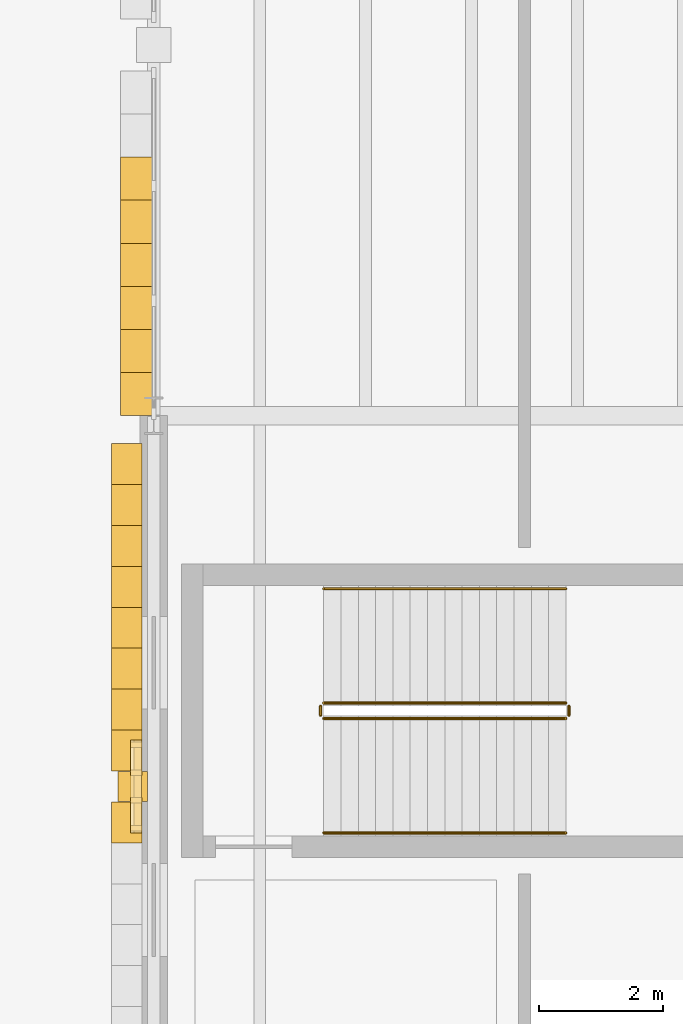
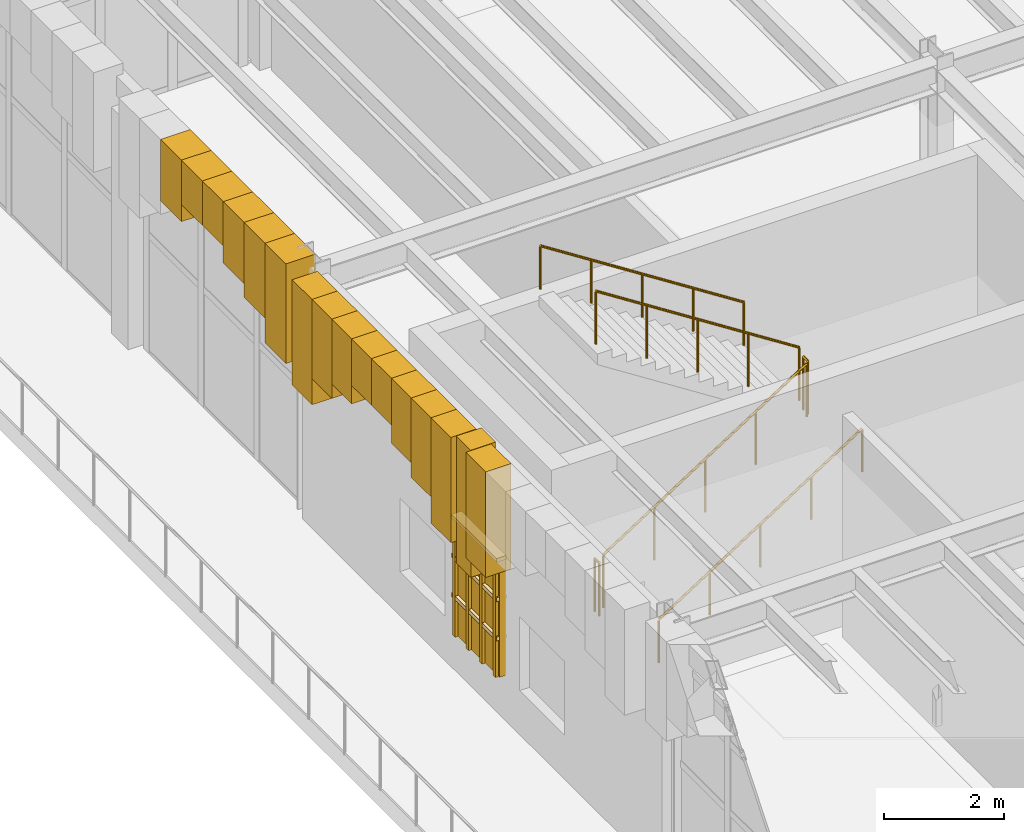
# One storey, part 79 of 103: 23 coverings, 6 railings, 1 shading device.
"""IFC4 building model written with IfcOpenShell, lengths in metres."""

from ifc_helpers import new_model, si_unit, direction, frame, origin, origin_2d, place, context, subcontext, project, spatial, polyline, rectangle, circle, outline, extrude, material, layer, layer_set, type_object, element, save


model = new_model("IFC4")

# Units and contexts
model_context = context("Model", 3, precision=1e-05, world=origin(), true_north=direction((0.0, 1.0)))
body_context = subcontext(model_context, "Body", "Model", "MODEL_VIEW")
ifc_project = project(units=[si_unit("LENGTHUNIT", "METRE"), si_unit("AREAUNIT", "SQUARE_METRE"), si_unit("VOLUMEUNIT", "CUBIC_METRE"), si_unit("PLANEANGLEUNIT", "RADIAN"), si_unit("MASSUNIT", "GRAM", prefix="KILO")], contexts=[model_context])

# Site, building, storey
site_placement = place(None, origin())
site = spatial("IfcSite", under=ifc_project, at=site_placement, CompositionType="ELEMENT")
building_placement = place(site_placement, origin())
building = spatial("IfcBuilding", under=site, at=building_placement, Name="Zlatogorsky Bluff Art Gallery", CompositionType="ELEMENT")
storey_placement = place(building_placement, origin())
storey = spatial("IfcBuildingStorey", under=building, at=storey_placement, Name="L00", CompositionType="ELEMENT", Elevation=0.0)

# Coverings
ifc_material_1 = material(Name="Honed Red Agra-Tone Quartzitic Sandstone", Category="masonry")
ifc_layer = layer(ifc_material_1, 0.1201171875)
ifc_layer_set = layer_set([ifc_layer], Name="Carved Sandstone Cladding CLD-02")
covering_type = type_object("IfcCoveringType", Name="Carved Sandstone Cladding CLD-02", PredefinedType="CLADDING", material=ifc_layer_set)
covering_1_placement = place(storey_placement, frame((0.0, 0.0, 2.77001953125)))
element("IfcCovering", 1, at=covering_1_placement, inside=storey, type_object=covering_type, Name="Mughal blind-arch sandstone pilaster L00.W.0.9", PredefinedType="CLADDING", context=body_context, shape_type="SweptSolid", body=[
    extrude(outline(polyline([(-0.580078125, 101.760009765625), (-0.10009765625, 101.760009765625), (-0.10009765625, 102.239990234375), (-0.580078125, 102.239990234375), (-0.580078125, 101.760009765625)])), origin(), (0.0, 0.0, 1.0), 2.590087890625),
])
covering_2_placement = place(storey_placement, frame((0.0, 0.0, 3.21240234375)))
element("IfcCovering", 2, at=covering_2_placement, inside=storey, type_object=covering_type, Name="Pointed Mughal arch voussoir spandrel WARCH-L00-W-00-09-A.8", PredefinedType="CLADDING", context=body_context, shape_type="SweptSolid", body=[
    extrude(outline(polyline([(-0.679931640625, 101.08740234375), (-0.679931640625, 101.75), (-0.18994140625, 101.75), (-0.18994140625, 101.08740234375), (-0.679931640625, 101.08740234375)])), origin(), (0.0, 0.0, 1.0), 2.147705078125),
])
covering_3_placement = place(storey_placement, frame((0.0, 0.0, 3.21240234375)))
element("IfcCovering", 3, at=covering_3_placement, inside=storey, type_object=covering_type, Name="Pointed Mughal arch voussoir spandrel WARCH-L00-W-00-09-B.1", PredefinedType="CLADDING", context=body_context, shape_type="SweptSolid", body=[
    extrude(outline(polyline([(-0.679931640625, 102.25), (-0.679931640625, 102.91259765625), (-0.18994140625, 102.91259765625), (-0.18994140625, 102.25), (-0.679931640625, 102.25)])), origin(), (0.0, 0.0, 1.0), 2.147705078125),
])
covering_4_placement = place(storey_placement, frame((0.0, 0.0, 3.743896484375)))
element("IfcCovering", 4, at=covering_4_placement, inside=storey, type_object=covering_type, Name="Pointed Mughal arch voussoir spandrel WARCH-L00-W-00-09-B.2", PredefinedType="CLADDING", context=body_context, shape_type="SweptSolid", body=[
    extrude(outline(polyline([(-0.679931640625, 102.91259765625), (-0.679931640625, 103.574951171875), (-0.18994140625, 103.574951171875), (-0.18994140625, 102.91259765625), (-0.679931640625, 102.91259765625)])), origin(), (0.0, 0.0, 1.0), 1.6162109375),
])
covering_5_placement = place(storey_placement, frame((0.0, 0.0, 4.03662109375)))
element("IfcCovering", 5, at=covering_5_placement, inside=storey, type_object=covering_type, Name="Pointed Mughal arch voussoir spandrel WARCH-L00-W-00-09-B.3", PredefinedType="CLADDING", context=body_context, shape_type="SweptSolid", body=[
    extrude(outline(polyline([(-0.679931640625, 103.574951171875), (-0.679931640625, 104.237548828125), (-0.18994140625, 104.237548828125), (-0.18994140625, 103.574951171875), (-0.679931640625, 103.574951171875)])), origin(), (0.0, 0.0, 1.0), 1.323486328125),
])
covering_6_placement = place(storey_placement, frame((0.0, 0.0, 4.405517578125)))
element("IfcCovering", 6, at=covering_6_placement, inside=storey, type_object=covering_type, Name="Pointed Mughal arch voussoir spandrel WARCH-L00-W-00-09-B.4", PredefinedType="CLADDING", context=body_context, shape_type="SweptSolid", body=[
    extrude(outline(polyline([(-0.679931640625, 104.237548828125), (-0.679931640625, 104.89990234375), (-0.18994140625, 104.89990234375), (-0.18994140625, 104.237548828125), (-0.679931640625, 104.237548828125)])), origin(), (0.0, 0.0, 1.0), 0.95458984375),
])
covering_7_placement = place(storey_placement, frame((0.0, 0.0, 4.405517578125)))
element("IfcCovering", 7, at=covering_7_placement, inside=storey, type_object=covering_type, Name="Pointed Mughal arch voussoir spandrel WARCH-L00-W-00-09-B.5", PredefinedType="CLADDING", context=body_context, shape_type="SweptSolid", body=[
    extrude(outline(polyline([(-0.679931640625, 104.89990234375), (-0.679931640625, 105.5625), (-0.18994140625, 105.5625), (-0.18994140625, 104.89990234375), (-0.679931640625, 104.89990234375)])), origin(), (0.0, 0.0, 1.0), 0.95458984375),
])
covering_8_placement = place(storey_placement, frame((0.0, 0.0, 4.03662109375)))
element("IfcCovering", 8, at=covering_8_placement, inside=storey, type_object=covering_type, Name="Pointed Mughal arch voussoir spandrel WARCH-L00-W-00-09-B.6", PredefinedType="CLADDING", context=body_context, shape_type="SweptSolid", body=[
    extrude(outline(polyline([(-0.679931640625, 105.5625), (-0.679931640625, 106.22509765625), (-0.18994140625, 106.22509765625), (-0.18994140625, 105.5625), (-0.679931640625, 105.5625)])), origin(), (0.0, 0.0, 1.0), 1.323486328125),
])
covering_9_placement = place(storey_placement, frame((0.0, 0.0, 3.743896484375)))
element("IfcCovering", 9, at=covering_9_placement, inside=storey, type_object=covering_type, Name="Pointed Mughal arch voussoir spandrel WARCH-L00-W-00-09-B.7", PredefinedType="CLADDING", context=body_context, shape_type="SweptSolid", body=[
    extrude(outline(polyline([(-0.679931640625, 106.22509765625), (-0.679931640625, 106.887451171875), (-0.18994140625, 106.887451171875), (-0.18994140625, 106.22509765625), (-0.679931640625, 106.22509765625)])), origin(), (0.0, 0.0, 1.0), 1.6162109375),
])
covering_10_placement = place(storey_placement, frame((0.0, 0.0, 3.21240234375)))
element("IfcCovering", 10, at=covering_10_placement, inside=storey, type_object=covering_type, Name="Pointed Mughal arch voussoir spandrel WARCH-L00-W-00-09-B.8", PredefinedType="CLADDING", context=body_context, shape_type="SweptSolid", body=[
    extrude(outline(polyline([(-0.679931640625, 106.887451171875), (-0.679931640625, 107.550048828125), (-0.18994140625, 107.550048828125), (-0.18994140625, 106.887451171875), (-0.679931640625, 106.887451171875)])), origin(), (0.0, 0.0, 1.0), 2.147705078125),
])
covering_11_placement = place(storey_placement, frame((0.0, 0.0, 0.949951171875)))
element("IfcCovering", 11, at=covering_11_placement, inside=storey, type_object=covering_type, Name="Pierced sandstone jali lattice bar L00.W.0.9", PredefinedType="CLADDING", context=body_context, shape_type="SweptSolid", body=[
    extrude(outline(polyline([(-0.3798828125, 101.280029296875), (-0.3798828125, 101.3701171875), (-0.18994140625, 101.3701171875), (-0.18994140625, 101.280029296875), (-0.3798828125, 101.280029296875)])), origin(), (0.0, 0.0, 1.0), 3.199951171875),
])
covering_12_placement = place(storey_placement, frame((0.0, 0.0, 0.949951171875)))
element("IfcCovering", 12, at=covering_12_placement, inside=storey, type_object=covering_type, Name="Pierced sandstone jali lattice bar L00.W.0.9", PredefinedType="CLADDING", context=body_context, shape_type="SweptSolid", body=[
    extrude(outline(polyline([(-0.3798828125, 101.72998046875), (-0.3798828125, 101.820068359375), (-0.18994140625, 101.820068359375), (-0.18994140625, 101.72998046875), (-0.3798828125, 101.72998046875)])), origin(), (0.0, 0.0, 1.0), 3.199951171875),
])
covering_13_placement = place(storey_placement, frame((0.0, 0.0, 0.949951171875)))
element("IfcCovering", 13, at=covering_13_placement, inside=storey, type_object=covering_type, Name="Pierced sandstone jali lattice bar L00.W.0.9", PredefinedType="CLADDING", context=body_context, shape_type="SweptSolid", body=[
    extrude(outline(polyline([(-0.3798828125, 102.179931640625), (-0.3798828125, 102.27001953125), (-0.18994140625, 102.27001953125), (-0.18994140625, 102.179931640625), (-0.3798828125, 102.179931640625)])), origin(), (0.0, 0.0, 1.0), 3.199951171875),
])
covering_14_placement = place(storey_placement, frame((0.0, 0.0, 0.949951171875)))
element("IfcCovering", 14, at=covering_14_placement, inside=storey, type_object=covering_type, Name="Pierced sandstone jali lattice bar L00.W.0.9", PredefinedType="CLADDING", context=body_context, shape_type="SweptSolid", body=[
    extrude(outline(polyline([(-0.3798828125, 102.6298828125), (-0.3798828125, 102.719970703125), (-0.18994140625, 102.719970703125), (-0.18994140625, 102.6298828125), (-0.3798828125, 102.6298828125)])), origin(), (0.0, 0.0, 1.0), 3.199951171875),
])
for number, where, name in (
    (15, (0.0, 0.0, 1.7099609375), "Pierced sandstone jali lattice transom L00.W.0.9"),
    (16, (0.0, 0.0, 2.510009765625), "Pierced sandstone jali lattice transom L00.W.0.9"),
):
    element("IfcCovering", number, at=place(storey_placement, frame(where)), inside=storey, type_object=covering_type, Name=name, PredefinedType="CLADDING", context=body_context, shape_type="SweptSolid", body=[
        extrude(outline(polyline([(-0.3798828125, 101.25), (-0.3798828125, 102.75), (-0.18994140625, 102.75), (-0.18994140625, 101.25), (-0.3798828125, 101.25)])), origin(), (0.0, 0.0, 1.0), 0.080078125),
    ])
covering_15_placement = place(storey_placement, frame((0.0, 0.0, 3.31005859375)))
element("IfcCovering", 17, at=covering_15_placement, inside=storey, type_object=covering_type, Name="Pierced sandstone jali lattice transom L00.W.0.9", PredefinedType="CLADDING", context=body_context, shape_type="SweptSolid", body=[
    extrude(outline(polyline([(-0.3798828125, 101.25), (-0.3798828125, 102.75), (-0.18994140625, 102.75), (-0.18994140625, 101.25), (-0.3798828125, 101.25)])), origin(), (0.0, 0.0, 1.0), 0.079833984375),
])
covering_16_placement = place(storey_placement, frame((0.0, 0.0, 3.327880859375)))
element("IfcCovering", 18, at=covering_16_placement, inside=storey, type_object=covering_type, Name="Pointed Mughal arch voussoir spandrel ARCH-CW-L00-W-00-10-B.1", PredefinedType="CLADDING", context=body_context, shape_type="SweptSolid", body=[
    extrude(outline(polyline([(-0.5400390625, 108.0), (-0.5400390625, 108.697509765625), (0.030029296875, 108.697509765625), (0.030029296875, 108.0), (-0.5400390625, 108.0)])), origin(), (0.0, 0.0, 1.0), 2.0322265625),
])
covering_17_placement = place(storey_placement, frame((0.0, 0.0, 3.82958984375)))
element("IfcCovering", 19, at=covering_17_placement, inside=storey, type_object=covering_type, Name="Pointed Mughal arch voussoir spandrel ARCH-CW-L00-W-00-10-B.2", PredefinedType="CLADDING", context=body_context, shape_type="SweptSolid", body=[
    extrude(outline(polyline([(-0.5400390625, 108.697509765625), (-0.5400390625, 109.39501953125), (0.030029296875, 109.39501953125), (0.030029296875, 108.697509765625), (-0.5400390625, 108.697509765625)])), origin(), (0.0, 0.0, 1.0), 1.530517578125),
])
covering_18_placement = place(storey_placement, frame((0.0, 0.0, 4.1064453125)))
element("IfcCovering", 20, at=covering_18_placement, inside=storey, type_object=covering_type, Name="Pointed Mughal arch voussoir spandrel ARCH-CW-L00-W-00-10-B.3", PredefinedType="CLADDING", context=body_context, shape_type="SweptSolid", body=[
    extrude(outline(polyline([(-0.5400390625, 109.39501953125), (-0.5400390625, 110.092529296875), (0.030029296875, 110.092529296875), (0.030029296875, 109.39501953125), (-0.5400390625, 109.39501953125)])), origin(), (0.0, 0.0, 1.0), 1.253662109375),
])
covering_19_placement = place(storey_placement, frame((0.0, 0.0, 4.45458984375)))
element("IfcCovering", 21, at=covering_19_placement, inside=storey, type_object=covering_type, Name="Pointed Mughal arch voussoir spandrel ARCH-CW-L00-W-00-10-B.4", PredefinedType="CLADDING", context=body_context, shape_type="SweptSolid", body=[
    extrude(outline(polyline([(-0.5400390625, 110.092529296875), (-0.5400390625, 110.7900390625), (0.030029296875, 110.7900390625), (0.030029296875, 110.092529296875), (-0.5400390625, 110.092529296875)])), origin(), (0.0, 0.0, 1.0), 0.905517578125),
])
covering_20_placement = place(storey_placement, frame((0.0, 0.0, 4.45458984375)))
element("IfcCovering", 22, at=covering_20_placement, inside=storey, type_object=covering_type, Name="Pointed Mughal arch voussoir spandrel ARCH-CW-L00-W-00-10-B.5", PredefinedType="CLADDING", context=body_context, shape_type="SweptSolid", body=[
    extrude(outline(polyline([(-0.5400390625, 110.7900390625), (-0.5400390625, 111.487548828125), (0.030029296875, 111.487548828125), (0.030029296875, 110.7900390625), (-0.5400390625, 110.7900390625)])), origin(), (0.0, 0.0, 1.0), 0.905517578125),
])
covering_21_placement = place(storey_placement, frame((0.0, 0.0, 4.1064453125)))
element("IfcCovering", 23, at=covering_21_placement, inside=storey, type_object=covering_type, Name="Pointed Mughal arch voussoir spandrel ARCH-CW-L00-W-00-10-B.6", PredefinedType="CLADDING", context=body_context, shape_type="SweptSolid", body=[
    extrude(outline(polyline([(-0.5400390625, 111.487548828125), (-0.5400390625, 112.18505859375), (0.030029296875, 112.18505859375), (0.030029296875, 111.487548828125), (-0.5400390625, 111.487548828125)])), origin(), (0.0, 0.0, 1.0), 1.253662109375),
])

# Railings
ifc_material_2 = material(Name="Architectural Bronze and Laminated Glass", Category="glass")
railing_type_1 = type_object("IfcRailingType", Name="Gallery Guard Rail 1100mm", PredefinedType="GUARDRAIL", material=ifc_material_2)
railing_1_placement = place(storey_placement, frame((2.75, 103.10009765625, 0.179931640625)))
element("IfcRailing", 24, at=railing_1_placement, inside=storey, type_object=railing_type_1, Name="L00 ST-05 stair guard 1", PredefinedType="GUARDRAIL", context=body_context, shape_type="SweptSolid", body=[
    extrude(circle(Radius=0.02392578125, at=origin_2d()), frame((0.0, 0.0, 1.076171875), z_axis=(0.841171666519, 0.0, 0.540768182723), x_axis=(0.0, 1.0, 0.0)), (0.0, 0.0, 1.0), 4.66015625),
    extrude(circle(Radius=0.02099609375, at=origin_2d()), origin(), (0.0, 0.0, 1.0), 1.052001953125),
    extrude(circle(Radius=0.02099609375, at=origin_2d()), frame((0.97998046875, 0.0, 0.6298828125)), (0.0, 0.0, 1.0), 1.052001953125),
    extrude(circle(Radius=0.02099609375, at=origin_2d()), frame((1.9599609375, 0.0, 1.260009765625)), (0.0, 0.0, 1.0), 1.052001953125),
    extrude(circle(Radius=0.02099609375, at=origin_2d()), frame((2.93994140625, 0.0, 1.89013671875)), (0.0, 0.0, 1.0), 1.052001953125),
    extrude(circle(Radius=0.02099609375, at=origin_2d()), frame((3.919921875, 0.0, 2.52001953125)), (0.0, 0.0, 1.0), 1.052001953125),
])
railing_2_placement = place(storey_placement, frame((6.719970703125, 103.14990234375, 2.699951171875)))
element("IfcRailing", 25, at=railing_2_placement, inside=storey, type_object=railing_type_1, Name="L00 ST-05 stair guard 2", PredefinedType="GUARDRAIL", context=body_context, shape_type="SweptSolid", body=[
    extrude(circle(Radius=0.02392578125, at=origin_2d()), frame((0.0, 0.0, 1.076171875), z_axis=(0.0, 1.0, 0.0), x_axis=(-1.0, 0.0, 0.0)), (0.0, 0.0, 1.0), 0.150146484375),
    extrude(circle(Radius=0.02099609375, at=origin_2d()), origin(), (0.0, 0.0, 1.0), 1.052001953125),
    extrude(circle(Radius=0.02099609375, at=origin_2d()), frame((0.0, 0.150146484375, 0.0)), (0.0, 0.0, 1.0), 1.052001953125),
])
railing_3_placement = place(storey_placement, frame((6.669921875, 103.35009765625, 2.8798828125)))
element("IfcRailing", 26, at=railing_3_placement, inside=storey, type_object=railing_type_1, Name="L00 ST-05 stair guard 3", PredefinedType="GUARDRAIL", context=body_context, shape_type="SweptSolid", body=[
    extrude(circle(Radius=0.02392578125, at=origin_2d()), frame((0.0, 0.0, 1.076171875), z_axis=(-0.841171666519, 0.0, 0.540768182723), x_axis=(0.0, -1.0, 0.0)), (0.0, 0.0, 1.0), 4.66015625),
    extrude(circle(Radius=0.02099609375, at=origin_2d()), origin(), (0.0, 0.0, 1.0), 1.052001953125),
    extrude(circle(Radius=0.02099609375, at=origin_2d()), frame((-0.97998046875, 0.0, 0.6298828125)), (0.0, 0.0, 1.0), 1.052001953125),
    extrude(circle(Radius=0.02099609375, at=origin_2d()), frame((-1.9599609375, 0.0, 1.260009765625)), (0.0, 0.0, 1.0), 1.052001953125),
    extrude(circle(Radius=0.02099609375, at=origin_2d()), frame((-2.93994140625, 0.0, 1.89013671875)), (0.0, 0.0, 1.0), 1.052001953125),
    extrude(circle(Radius=0.02099609375, at=origin_2d()), frame((-3.919921875, 0.0, 2.52001953125)), (0.0, 0.0, 1.0), 1.052001953125),
])
railing_4_placement = place(storey_placement, frame((2.699951171875, 103.14990234375, 0.0)))
element("IfcRailing", 27, at=railing_4_placement, inside=storey, type_object=railing_type_1, Name="L00 ST-05 stair guard 4", PredefinedType="GUARDRAIL", context=body_context, shape_type="SweptSolid", body=[
    extrude(circle(Radius=0.02392578125, at=origin_2d()), frame((0.0, 0.0, 1.076171875), z_axis=(0.0, 1.0, 0.0), x_axis=(-1.0, 0.0, 0.0)), (0.0, 0.0, 1.0), 0.150146484375),
    extrude(circle(Radius=0.02099609375, at=origin_2d()), origin(), (0.0, 0.0, 1.0), 1.052001953125),
    extrude(circle(Radius=0.02099609375, at=origin_2d()), frame((0.0, 0.150146484375, 0.0)), (0.0, 0.0, 1.0), 1.052001953125),
])

# Shading device
ifc_material_3 = material(Name="CNC-Pierced Red Quartzitic Sandstone Jali", Category="masonry")
shading_device_type = type_object("IfcShadingDeviceType", Name="Pierced Stone Jali Screen JAL-04", PredefinedType="JALOUSIE", material=ifc_material_3)
shading_device_placement = place(storey_placement, frame((-0.260009765625, 102.0, 0.9501953125), z_axis=(0.0, 0.0, 1.0), x_axis=(1.0, 0.0, 0.0)))
element("IfcShadingDevice", 28, at=shading_device_placement, inside=storey, type_object=shading_device_type, Name="Pierced stone jali screen JAL-04", PredefinedType="JALOUSIE", context=body_context, shape_type="SweptSolid", body=[
    extrude(rectangle(XDim=0.1201171875, YDim=1.5, at=origin_2d()), origin(), (0.0, 0.0, 1.0), 3.199951171875),
])

# Railings
ifc_material_4 = material(Name="Brushed Stainless Steel", Category="steel")
railing_type_2 = type_object("IfcRailingType", Name="Stair Pitch Handrail 900mm", PredefinedType="HANDRAIL", material=ifc_material_4)
railing_5_placement = place(storey_placement, frame((2.75, 101.25, 0.179931640625)))
element("IfcRailing", 29, at=railing_5_placement, inside=storey, type_object=railing_type_2, Name="L00 ST-05 stair handrail 1", PredefinedType="HANDRAIL", context=body_context, shape_type="SweptSolid", body=[
    extrude(circle(Radius=0.02392578125, at=origin_2d()), frame((0.0, 0.0, 0.8759765625), z_axis=(0.841171666519, 0.0, 0.540768182723), x_axis=(0.0, 1.0, 0.0)), (0.0, 0.0, 1.0), 4.66015625),
    extrude(circle(Radius=0.02099609375, at=origin_2d()), origin(), (0.0, 0.0, 1.0), 0.851806640625),
    extrude(circle(Radius=0.02099609375, at=origin_2d()), frame((0.97998046875, 0.0, 0.6298828125)), (0.0, 0.0, 1.0), 0.851806640625),
    extrude(circle(Radius=0.02099609375, at=origin_2d()), frame((1.9599609375, 0.0, 1.260009765625)), (0.0, 0.0, 1.0), 0.851806640625),
    extrude(circle(Radius=0.02099609375, at=origin_2d()), frame((2.93994140625, 0.0, 1.89013671875)), (0.0, 0.0, 1.0), 0.851806640625),
    extrude(circle(Radius=0.02099609375, at=origin_2d()), frame((3.919921875, 0.0, 2.52001953125)), (0.0, 0.0, 1.0), 0.851806640625),
])
railing_6_placement = place(storey_placement, frame((6.669921875, 105.199951171875, 2.8798828125)))
element("IfcRailing", 30, at=railing_6_placement, inside=storey, type_object=railing_type_2, Name="L00 ST-05 stair handrail 2", PredefinedType="HANDRAIL", context=body_context, shape_type="SweptSolid", body=[
    extrude(circle(Radius=0.02392578125, at=origin_2d()), frame((0.0, 0.0, 0.8759765625), z_axis=(-0.841171666519, 0.0, 0.540768182723), x_axis=(0.0, -1.0, 0.0)), (0.0, 0.0, 1.0), 4.66015625),
    extrude(circle(Radius=0.02099609375, at=origin_2d()), origin(), (0.0, 0.0, 1.0), 0.851806640625),
    extrude(circle(Radius=0.02099609375, at=origin_2d()), frame((-0.97998046875, 0.0, 0.6298828125)), (0.0, 0.0, 1.0), 0.851806640625),
    extrude(circle(Radius=0.02099609375, at=origin_2d()), frame((-1.9599609375, 0.0, 1.260009765625)), (0.0, 0.0, 1.0), 0.851806640625),
    extrude(circle(Radius=0.02099609375, at=origin_2d()), frame((-2.93994140625, 0.0, 1.89013671875)), (0.0, 0.0, 1.0), 0.851806640625),
    extrude(circle(Radius=0.02099609375, at=origin_2d()), frame((-3.919921875, 0.0, 2.52001953125)), (0.0, 0.0, 1.0), 0.851806640625),
])

save(model, "model.ifc")
